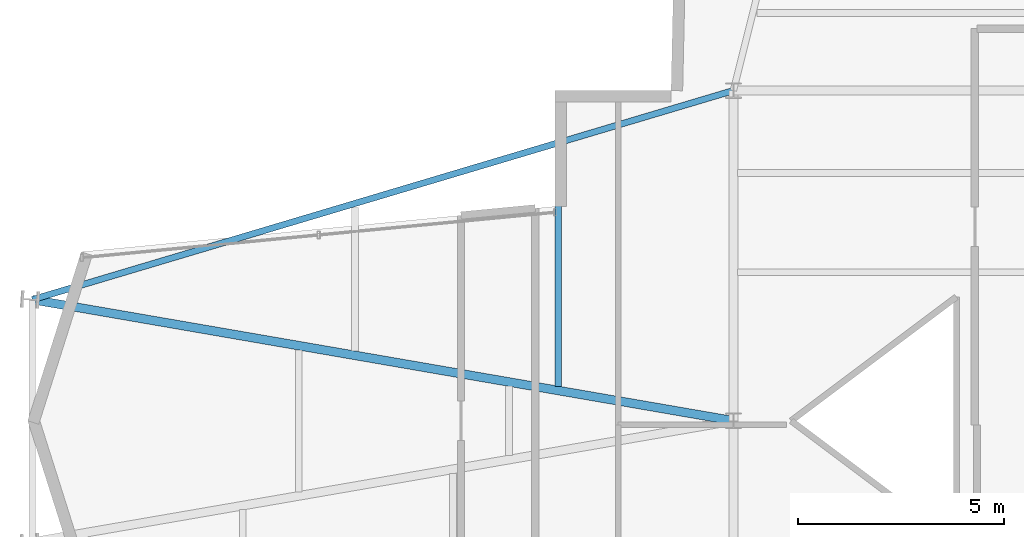
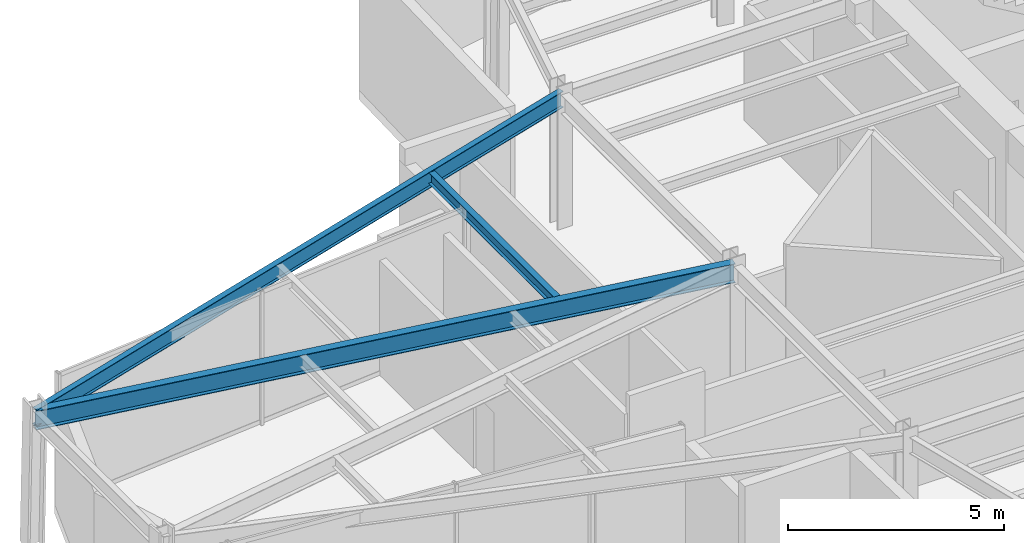
# One storey, part 7 of 18: 3 beams.
"""IFC4 building model written with IfcOpenShell, lengths in metres."""

from ifc_helpers import new_model, si_unit, direction, frame, origin, origin_2d, place, context, subcontext, project, spatial, i_section, extrude, material, material_profile, profile_set, type_object, element, save


model = new_model("IFC4")

# Units and contexts
model_context = context("Model", 3, precision=1e-05, world=origin(), true_north=direction((0.0, 1.0)))
body_context = subcontext(model_context, "Body", "Model", "MODEL_VIEW")
ifc_project = project(units=[si_unit("LENGTHUNIT", "METRE"), si_unit("AREAUNIT", "SQUARE_METRE"), si_unit("VOLUMEUNIT", "CUBIC_METRE"), si_unit("PLANEANGLEUNIT", "RADIAN"), si_unit("MASSUNIT", "GRAM", prefix="KILO")], contexts=[model_context])

# Site, building, storey
site_placement = place(None, origin())
site = spatial("IfcSite", under=ifc_project, at=site_placement, CompositionType="ELEMENT")
building_placement = place(site_placement, origin())
building = spatial("IfcBuilding", under=site, at=building_placement, Name="Veymaron Broadcast Tower", CompositionType="ELEMENT")
storey_placement = place(building_placement, frame((0.0, 0.0, 236.39990234375)))
storey = spatial("IfcBuildingStorey", under=building, at=storey_placement, Name="L55", CompositionType="ELEMENT", Elevation=236.39990234375)

# Beams
ifc_material = material(Name="Structural steel ASTM A992 Gr 50", Category="steel")
ifc_material_profile_1 = material_profile(ifc_material, i_section(OverallWidth=0.2099609375, OverallDepth=0.537109375, WebThickness=0.010986328125, FlangeThickness=0.017333984375, at=origin_2d()), Name="W530X101")
ifc_profile_set_1 = profile_set([ifc_material_profile_1], Name="Structural steel ASTM A992 Gr 50")
beam_type_1 = type_object("IfcBeamType", Name="BM-FG3", PredefinedType="BEAM", material=ifc_profile_set_1)
beam_1_placement = place(storey_placement, frame((14.217041015625, 26.93505859375, 3.521484375), z_axis=(0.985392317062, -0.170299681374, 0.0), x_axis=(0.170299681374, 0.985392317062, 0.0)))
element("IfcBeam", 1, at=beam_1_placement, inside=storey, type_object=beam_type_1, Name="L55 primary structural floor girder", PredefinedType="BEAM", context=body_context, shape_type="SweptSolid", body=[
    extrude(i_section(OverallWidth=0.2099609375, OverallDepth=0.537109375, WebThickness=0.010986328125, FlangeThickness=0.017333984375, at=origin_2d()), origin(), (0.0, 0.0, 1.0), 17.234619140625),
])
ifc_material_profile_2 = material_profile(ifc_material, i_section(OverallWidth=0.1650390625, OverallDepth=0.31005859375, WebThickness=0.005859375, FlangeThickness=0.009765625, at=origin_2d()), Name="W310X39")
ifc_profile_set_2 = profile_set([ifc_material_profile_2], Name="Structural steel ASTM A992 Gr 50")
beam_type_2 = type_object("IfcBeamType", Name="BM-JS3", PredefinedType="JOIST", material=ifc_profile_set_2)
beam_2_placement = place(storey_placement, frame((26.9541015625, 24.833740234375, 3.635009765625), z_axis=(0.0, 1.0, 0.0), x_axis=(-1.0, 0.0, 0.0)))
element("IfcBeam", 2, at=beam_2_placement, inside=storey, type_object=beam_type_2, Name="L55 Arm-A secondary joist 2N", PredefinedType="JOIST", context=body_context, shape_type="SweptSolid", body=[
    extrude(i_section(OverallWidth=0.1650390625, OverallDepth=0.31005859375, WebThickness=0.005859375, FlangeThickness=0.009765625, at=origin_2d()), origin(), (0.0, 0.0, 1.0), 5.800048828125),
])
ifc_material_profile_3 = material_profile(ifc_material, i_section(OverallWidth=0.154052734375, OverallDepth=0.458984375, WebThickness=0.009033203125, FlangeThickness=0.015380859375, at=origin_2d()), Name="W460X68")
ifc_profile_set_3 = profile_set([ifc_material_profile_3], Name="Structural steel ASTM A992 Gr 50")
beam_type_3 = type_object("IfcBeamType", Name="BM-SP2", PredefinedType="SPANDREL", material=ifc_profile_set_3)
beam_3_placement = place(storey_placement, frame((14.217041015625, 26.93505859375, 3.560546875), z_axis=(0.958289878942, 0.285798019443, 0.0), x_axis=(-0.285798019443, 0.958289878942, 0.0)))
element("IfcBeam", 3, at=beam_3_placement, inside=storey, type_object=beam_type_3, Name="L55 primary structural floor girder", PredefinedType="SPANDREL", context=body_context, shape_type="SweptSolid", body=[
    extrude(i_section(OverallWidth=0.154052734375, OverallDepth=0.458984375, WebThickness=0.009033203125, FlangeThickness=0.015380859375, at=origin_2d()), origin(), (0.0, 0.0, 1.0), 17.72216796875),
])

save(model, "model.ifc")
